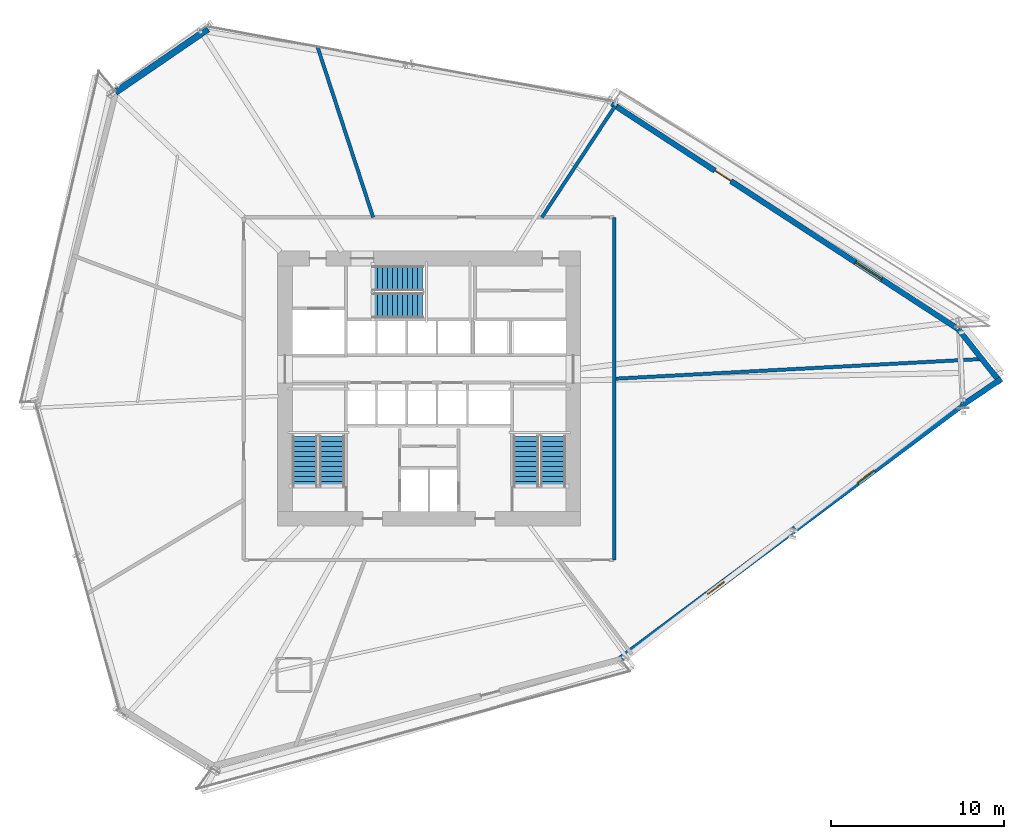
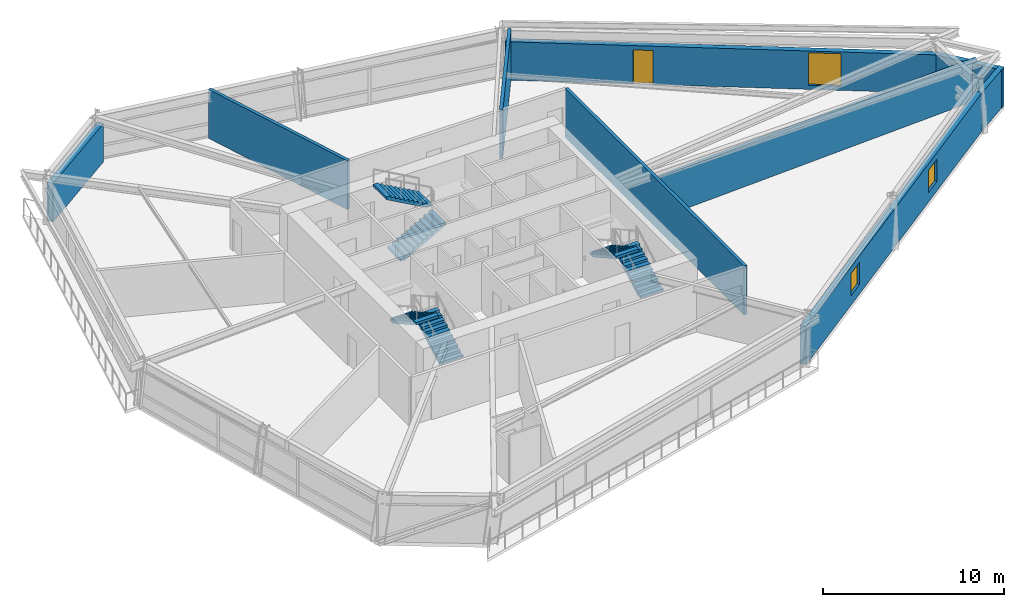
# One storey, part 17 of 20: 9 walls, 6 stair flights, 3 windows, 1 door, 4 openings, 3 elements without a shape of their own.
"""IFC4 building model written with IfcOpenShell, lengths in metres."""

from ifc_helpers import new_model, si_unit, direction, frame, frame_2d, origin, place, context, subcontext, project, spatial, polyline, rectangle, outline, extrude, source, transform, mapped, material, layer, layer_set, type_object, type_shapes, element, fill, aggregate, save


model = new_model("IFC4")

# Units and contexts
model_context = context("Model", 3, precision=1e-05, world=origin(), true_north=direction((0.0, 1.0)))
body_context = subcontext(model_context, "Body", "Model", "MODEL_VIEW")
ifc_project = project(units=[si_unit("LENGTHUNIT", "METRE"), si_unit("AREAUNIT", "SQUARE_METRE"), si_unit("VOLUMEUNIT", "CUBIC_METRE"), si_unit("PLANEANGLEUNIT", "RADIAN"), si_unit("MASSUNIT", "GRAM", prefix="KILO")], contexts=[model_context])

# Site, building, storey
site_placement = place(None, origin())
site = spatial("IfcSite", under=ifc_project, at=site_placement, CompositionType="ELEMENT")
building_placement = place(site_placement, origin())
building = spatial("IfcBuilding", under=site, at=building_placement, Name="Olszyna Solenne Hotel", CompositionType="ELEMENT")
storey_placement = place(building_placement, frame((0.0, 0.0, 43.5)))
storey = spatial("IfcBuildingStorey", under=building, at=storey_placement, Name="L10", CompositionType="ELEMENT", Elevation=43.5)

# Wall, openings, door, window
ifc_material_1 = material(Name="Precast concrete C45/55", Category="concrete")
ifc_layer_1 = layer(ifc_material_1, 0.320068359375, Name="Precast concrete C45/55")
ifc_layer_set_1 = layer_set([ifc_layer_1], Name="Precast concrete C45/55")
wall_type_1 = type_object("IfcWallType", Name="WL-EX320", PredefinedType="SOLIDWALL", material=ifc_layer_set_1)
wall_1_placement = place(storey_placement, frame((48.56494140625, 43.0771484375, 0.0), z_axis=(0.0, 0.0, 1.0), x_axis=(0.838026180403, -0.545630022048, 0.0)))
wall_1 = element("IfcWall", 1, at=wall_1_placement, inside=storey, type_object=wall_type_1, Name="Exterior terracotta-precast frame wall WL-EX320 EW-L10-07", PredefinedType="SOLIDWALL", context=body_context, shape_type="SweptSolid", body=[
    extrude(rectangle(XDim=23.9326171875, YDim=0.320068359375, at=frame_2d((11.96630859375, 0.0))), origin(), (0.0, 0.0, 1.0), 2.592041015625),
])
opening_1_placement = place(wall_1_placement, frame((7.10791015625, 0.0, 0.0)))
opening_1 = element("IfcOpeningElement", 2, at=opening_1_placement, cuts=wall_1, Name="Opening LDG-L10-1", PredefinedType="OPENING", context=body_context, shape_type="SweptSolid", body=[
    extrude(rectangle(XDim=1.10009765625, YDim=2.300048828125, at=frame_2d((0.550048828125, 1.14990234375))), frame((0.0, 0.169921875, 0.0), z_axis=(0.0, -1.0, 0.0), x_axis=(1.0, 0.0, 0.0)), (0.0, 0.0, 1.0), 0.340087890625),
])
opening_2_placement = place(wall_1_placement, frame((16.81005859375, 0.0, 0.27197265625)))
opening_2 = element("IfcOpeningElement", 3, at=opening_2_placement, cuts=wall_1, Name="Opening WN-L10-043", PredefinedType="OPENING", context=body_context, shape_type="SweptSolid", body=[
    extrude(rectangle(XDim=1.800048828125, YDim=2.199951171875, at=frame_2d((0.89990234375, 1.10009765625))), frame((0.0, 0.169921875, 0.0), z_axis=(0.0, -1.0, 0.0), x_axis=(1.0, 0.0, 0.0)), (0.0, 0.0, 1.0), 0.340087890625),
])
ifc_material_2 = material(Name="Anodised bronze aluminium", Category="aluminium")
door_type = type_object("IfcDoorType", Name="DR-LG1", OperationType="NOTDEFINED", PredefinedType="DOOR", material=ifc_material_2)
shared_shape_1 = source(origin(), body_context, "Body", "SweptSolid", [
    extrude(rectangle(XDim=1.10009765625, YDim=2.300048828125, at=frame_2d((0.550048828125, 1.14990234375))), frame((0.0, 0.02490234375, 0.0), z_axis=(0.0, -1.0, 0.0), x_axis=(1.0, 0.0, 0.0)), (0.0, 0.0, 1.0), 0.050048828125),
])
type_shapes(door_type, [shared_shape_1])
door_placement = place(opening_1_placement, origin())
door = element("IfcDoor", 4, at=door_placement, inside=storey, type_object=door_type, Name="Exterior loggia balcony door DR-LG1 LDG-L10-1", OperationType="SINGLE_SWING_RIGHT", OverallHeight=2.300048828125, OverallWidth=1.10009765625, PredefinedType="DOOR", context=body_context, shape_type="MappedRepresentation", body=[
    mapped(shared_shape_1, transform((0.0, 0.0, 0.0), x_axis=(1.0, 0.0, 0.0), y_axis=(0.0, 1.0, 0.0), z_axis=(0.0, 0.0, 1.0), scale=1.0)),
])
fill(opening_1, door)
ifc_material_3 = material(Name="Low-E triple glazing", Category="glass")
window_type_1 = type_object("IfcWindowType", Name="WN-HT1", PartitioningType="SINGLE_PANEL", PredefinedType="WINDOW", material=ifc_material_3)
shared_shape_2 = source(origin(), body_context, "Body", "SweptSolid", [
    extrude(rectangle(XDim=1.800048828125, YDim=2.199951171875, at=frame_2d((0.89990234375, 1.10009765625))), frame((0.0, 0.030029296875, 0.0), z_axis=(0.0, -1.0, 0.0), x_axis=(1.0, 0.0, 0.0)), (0.0, 0.0, 1.0), 0.06005859375),
])
type_shapes(window_type_1, [shared_shape_2])
window_1_placement = place(opening_2_placement, origin())
window_1 = element("IfcWindow", 5, at=window_1_placement, inside=storey, type_object=window_type_1, Name="Loggia room window WN-HT1 WN-L10-043", OverallHeight=2.199951171875, OverallWidth=1.800048828125, PartitioningType="SINGLE_PANEL", PredefinedType="WINDOW", context=body_context, shape_type="MappedRepresentation", body=[
    mapped(shared_shape_2, transform((0.0, 0.0, 0.0), x_axis=(1.0, 0.0, 0.0), y_axis=(0.0, 1.0, 0.0), z_axis=(0.0, 0.0, 1.0), scale=1.0)),
])
fill(opening_2, window_1)

# Walls
wall_2_placement = place(storey_placement, frame((68.582763671875, 30.0537109375, 0.0), z_axis=(0.0, 0.0, 1.0), x_axis=(0.618904414078, -0.78546631133, 0.0)))
element("IfcWall", 6, at=wall_2_placement, inside=storey, type_object=wall_type_1, Name="Exterior terracotta-precast frame wall WL-EX320 EW-L10-08", PredefinedType="SOLIDWALL", context=body_context, shape_type="SweptSolid", body=[
    extrude(rectangle(XDim=3.970703125, YDim=0.320068359375, at=frame_2d((1.9853515625, 0.0))), origin(), (0.0, 0.0, 1.0), 2.592041015625),
])
wall_3_placement = place(storey_placement, frame((71.07666015625, 27.16650390625, 0.0), z_axis=(0.0, 0.0, 1.0), x_axis=(-0.829425264913, -0.558617695678, 0.0)))
element("IfcWall", 7, at=wall_3_placement, inside=storey, type_object=wall_type_1, Name="Exterior terracotta-precast frame wall WL-EX320 EW-L10-09", PredefinedType="SOLIDWALL", context=body_context, shape_type="SweptSolid", body=[
    extrude(rectangle(XDim=2.771240234375, YDim=0.320068359375, at=frame_2d((1.3857421875, 0.0))), origin(), (0.0, 0.0, 1.0), 2.592041015625),
])
ifc_material_4 = material(Name="Terracotta cladding on precast concrete C45/55", Category="masonry")
ifc_layer_2 = layer(ifc_material_4, 0.3798828125, Name="Terracotta cladding on precast concrete C45/55")
ifc_layer_set_2 = layer_set([ifc_layer_2], Name="Terracotta cladding on precast concrete C45/55")
wall_type_2 = type_object("IfcWallType", Name="WL-EX380", PredefinedType="SOLIDWALL", material=ifc_layer_set_2)
wall_4_placement = place(storey_placement, frame((19.882080078125, 43.728271484375, 0.0), z_axis=(0.0, 0.0, 1.0), x_axis=(0.825091616756, 0.564998959255, 0.0)))
element("IfcWall", 8, at=wall_4_placement, inside=storey, type_object=wall_type_2, Name="Exterior terracotta-precast frame wall WL-EX380 EW-L10-05", PredefinedType="SOLIDWALL", context=body_context, shape_type="SweptSolid", body=[
    extrude(rectangle(XDim=6.47216796875, YDim=0.3798828125, at=frame_2d((3.236083984375, 0.0))), origin(), (0.0, 0.0, 1.0), 2.592041015625),
])

# Wall, openings, windows
wall_5_placement = place(storey_placement, frame((68.75390625, 25.63818359375, 0.0), z_axis=(0.0, 0.0, 1.0), x_axis=(-0.801982102685, -0.59734806183, 0.0)))
wall_5 = element("IfcWall", 9, at=wall_5_placement, inside=storey, type_object=wall_type_2, Name="Exterior terracotta-precast frame wall WL-EX380 EW-L10-10", PredefinedType="SOLIDWALL", context=body_context, shape_type="SweptSolid", body=[
    extrude(rectangle(XDim=24.5556640625, YDim=0.3798828125, at=frame_2d((12.27783203125, 0.0))), origin(), (0.0, 0.0, 1.0), 2.592041015625),
])
opening_3_placement = place(wall_5_placement, frame((6.27587890625, 0.0, 0.64990234375)))
opening_3 = element("IfcOpeningElement", 10, at=opening_3_placement, cuts=wall_5, Name="Opening WN-L10-044", PredefinedType="OPENING", context=body_context, shape_type="SweptSolid", body=[
    extrude(rectangle(XDim=1.199951171875, YDim=1.5, at=frame_2d((0.60009765625, 0.75))), frame((0.0, 0.199951171875, 0.0), z_axis=(0.0, -1.0, 0.0), x_axis=(1.0, 0.0, 0.0)), (0.0, 0.0, 1.0), 0.39990234375),
])
opening_4_placement = place(wall_5_placement, frame((17.080078125, 0.0, 0.64990234375)))
opening_4 = element("IfcOpeningElement", 11, at=opening_4_placement, cuts=wall_5, Name="Opening WN-L10-045", PredefinedType="OPENING", context=body_context, shape_type="SweptSolid", body=[
    extrude(rectangle(XDim=1.199951171875, YDim=1.5, at=frame_2d((0.60009765625, 0.75))), frame((0.0, 0.199951171875, 0.0), z_axis=(0.0, -1.0, 0.0), x_axis=(1.0, 0.0, 0.0)), (0.0, 0.0, 1.0), 0.39990234375),
])
window_type_2 = type_object("IfcWindowType", Name="WN-B1", PartitioningType="SINGLE_PANEL", PredefinedType="WINDOW", material=ifc_material_3)
shared_shape_3 = source(origin(), body_context, "Body", "SweptSolid", [
    extrude(rectangle(XDim=1.199951171875, YDim=1.5, at=frame_2d((0.60009765625, 0.75))), frame((0.0, 0.030029296875, 0.0), z_axis=(0.0, -1.0, 0.0), x_axis=(1.0, 0.0, 0.0)), (0.0, 0.0, 1.0), 0.06005859375),
])
type_shapes(window_type_2, [shared_shape_3])
window_2_placement = place(opening_3_placement, origin())
window_2 = element("IfcWindow", 12, at=window_2_placement, inside=storey, type_object=window_type_2, Name="Exterior facade window WN-B1 WN-L10-044", OverallHeight=1.5, OverallWidth=1.199951171875, PartitioningType="SINGLE_PANEL", PredefinedType="WINDOW", context=body_context, shape_type="MappedRepresentation", body=[
    mapped(shared_shape_3, transform((0.0, 0.0, 0.0), x_axis=(1.0, 0.0, 0.0), y_axis=(0.0, 1.0, 0.0), z_axis=(0.0, 0.0, 1.0), scale=1.0)),
])
fill(opening_3, window_2)
window_3_placement = place(opening_4_placement, origin())
window_3 = element("IfcWindow", 13, at=window_3_placement, inside=storey, type_object=window_type_2, Name="Exterior facade window WN-B1 WN-L10-045", OverallHeight=1.5, OverallWidth=1.199951171875, PartitioningType="SINGLE_PANEL", PredefinedType="WINDOW", context=body_context, shape_type="MappedRepresentation", body=[
    mapped(shared_shape_3, transform((0.0, 0.0, 0.0), x_axis=(1.0, 0.0, 0.0), y_axis=(0.0, 1.0, 0.0), z_axis=(0.0, 0.0, 1.0), scale=1.0)),
])
fill(opening_4, window_3)

# Walls
ifc_material_5 = material(Name="Acoustic gypsum partition", Category="gypsum")
ifc_layer_3 = layer(ifc_material_5, 0.199951171875, Name="Acoustic gypsum partition")
ifc_layer_set_3 = layer_set([ifc_layer_3], Name="Acoustic gypsum partition")
wall_type_3 = type_object("IfcWallType", Name="WL-PT200", PredefinedType="PARTITIONING", material=ifc_layer_set_3)
wall_6_placement = place(storey_placement, frame((48.699951171875, 27.174072265625, 0.0), z_axis=(0.0, 0.0, 1.0), x_axis=(0.998563490956, 0.053581288992, 0.0)))
element("IfcWall", 14, at=wall_6_placement, inside=storey, type_object=wall_type_3, Name="Interior acoustic partition WL-PT200 PW-L10-0551", PredefinedType="PARTITIONING", context=body_context, shape_type="SweptSolid", body=[
    extrude(rectangle(XDim=21.442626953125, YDim=0.199951171875, at=frame_2d((10.72119140625, 0.0))), origin(), (0.0, 0.0, 1.0), 2.794921875),
])
wall_7_placement = place(storey_placement, frame((44.51708984375, 36.5, 0.0), z_axis=(0.0, 0.0, 1.0), x_axis=(0.549868353799, 0.835251335521, 0.0)))
element("IfcWall", 15, at=wall_7_placement, inside=storey, type_object=wall_type_3, Name="Interior acoustic partition WL-PT200 PW-L10-0552", PredefinedType="PARTITIONING", context=body_context, shape_type="SweptSolid", body=[
    extrude(rectangle(XDim=7.850830078125, YDim=0.199951171875, at=frame_2d((3.92529296875, 0.0))), origin(), (0.0, 0.0, 1.0), 3.300048828125),
])
wall_8_placement = place(storey_placement, frame((34.76953125, 36.5, 0.0), z_axis=(0.0, 0.0, 1.0), x_axis=(-0.310204417854, 0.950669879161, 0.0)))
element("IfcWall", 16, at=wall_8_placement, inside=storey, type_object=wall_type_3, Name="Interior acoustic partition WL-PT200 PW-L10-0553", PredefinedType="PARTITIONING", context=body_context, shape_type="SweptSolid", body=[
    extrude(rectangle(XDim=10.33447265625, YDim=0.199951171875, at=frame_2d((5.167236328125, 0.0))), origin(), (0.0, 0.0, 1.0), 3.300048828125),
])
wall_9_placement = place(storey_placement, frame((48.699951171875, 16.699951171875, 0.0), z_axis=(0.0, 0.0, 1.0), x_axis=(0.0, 1.0, 0.0)))
element("IfcWall", 17, at=wall_9_placement, inside=storey, type_object=wall_type_3, Name="Interior acoustic partition WL-PT200 PW-L10-0563", PredefinedType="PARTITIONING", context=body_context, shape_type="SweptSolid", body=[
    extrude(rectangle(XDim=19.800048828125, YDim=0.199951171875, at=frame_2d((9.89990234375, 0.0))), origin(), (0.0, 0.0, 1.0), 3.300048828125),
])

# Stair, stair flights
ifc_material_6 = material(Name="Concrete C40/50", Category="concrete")
stair_type = type_object("IfcStairType", Name="STR-C1", PredefinedType="TWO_QUARTER_WINDING_STAIR", material=ifc_material_6)
stair_1_placement = place(storey_placement, origin())
stair_1 = element("IfcStair", 18, at=stair_1_placement, inside=storey, type_object=stair_type, Name="L10 ST1", PredefinedType="TWO_QUARTER_WINDING_STAIR")
stair_flight_type = type_object("IfcStairFlightType", Name="FLT-C1", PredefinedType="STRAIGHT", material=ifc_material_6)
stair_flight_1_placement = place(storey_placement, frame((32.39501953125, 20.949951171875, 0.0), z_axis=(0.0, 0.0, 1.0), x_axis=(0.0, 1.0, 0.0)))
stair_flight_1 = element("IfcStairFlight", 19, at=stair_flight_1_placement, type_object=stair_flight_type, Name="ST1 flight 1", NumberOfRisers=11, NumberOfTreads=10, PredefinedType="STRAIGHT", RiserHeight=0.161363636, TreadLength=0.29, context=body_context, shape_type="SweptSolid", body=[
    extrude(outline(polyline([(0.0, 0.0), (0.0, 0.161376953125), (0.2900390625, 0.161376953125), (0.2900390625, 0.32275390625), (0.580078125, 0.32275390625), (0.580078125, 0.484130859375), (0.8701171875, 0.484130859375), (0.8701171875, 0.6455078125), (1.159912109375, 0.6455078125), (1.159912109375, 0.806884765625), (1.449951171875, 0.806884765625), (1.449951171875, 0.96826171875), (1.739990234375, 0.96826171875), (1.739990234375, 1.129638671875), (2.030029296875, 1.129638671875), (2.030029296875, 1.291015625), (2.320068359375, 1.291015625), (2.320068359375, 1.452392578125), (2.610107421875, 1.452392578125), (2.610107421875, 1.613525390625), (2.89990234375, 1.613525390625), (2.89990234375, 1.77490234375), (2.89990234375, 1.442138671875), (0.308349609375, 0.0), (0.0, 0.0)])), frame((0.0, 0.72509765625, 0.0), z_axis=(0.0, -1.0, 0.0), x_axis=(1.0, 0.0, 0.0)), (0.0, 0.0, 1.0), 1.449951171875),
])
stair_flight_2_placement = place(storey_placement, frame((30.824951171875, 23.85009765625, 1.77490234375), z_axis=(0.0, 0.0, 1.0), x_axis=(0.0, -1.0, 0.0)))
stair_flight_2 = element("IfcStairFlight", 20, at=stair_flight_2_placement, type_object=stair_flight_type, Name="ST1 flight 2", NumberOfRisers=11, NumberOfTreads=10, PredefinedType="STRAIGHT", RiserHeight=0.161363636, TreadLength=0.29, context=body_context, shape_type="SweptSolid", body=[
    extrude(outline(polyline([(0.0, 0.0), (0.0, 0.161376953125), (0.2900390625, 0.161376953125), (0.2900390625, 0.32275390625), (0.580078125, 0.32275390625), (0.580078125, 0.484130859375), (0.8701171875, 0.484130859375), (0.8701171875, 0.6455078125), (1.159912109375, 0.6455078125), (1.159912109375, 0.806884765625), (1.449951171875, 0.806884765625), (1.449951171875, 0.96826171875), (1.739990234375, 0.96826171875), (1.739990234375, 1.129638671875), (2.030029296875, 1.129638671875), (2.030029296875, 1.291015625), (2.320068359375, 1.291015625), (2.320068359375, 1.452392578125), (2.610107421875, 1.452392578125), (2.610107421875, 1.613525390625), (2.89990234375, 1.613525390625), (2.89990234375, 1.77490234375), (2.89990234375, 1.442138671875), (0.308349609375, 0.0), (0.0, 0.0)])), frame((0.0, 0.72509765625, 0.0), z_axis=(0.0, -1.0, 0.0), x_axis=(1.0, 0.0, 0.0)), (0.0, 0.0, 1.0), 1.449951171875),
])
aggregate(stair_1, [stair_flight_1, stair_flight_2])

stair_2_placement = place(storey_placement, origin())
stair_2 = element("IfcStair", 21, at=stair_2_placement, inside=storey, type_object=stair_type, Name="L10 ST2", PredefinedType="TWO_QUARTER_WINDING_STAIR")
stair_flight_3_placement = place(storey_placement, frame((45.175048828125, 20.949951171875, 0.0), z_axis=(0.0, 0.0, 1.0), x_axis=(0.0, 1.0, 0.0)))
stair_flight_3 = element("IfcStairFlight", 22, at=stair_flight_3_placement, type_object=stair_flight_type, Name="ST2 flight 1", NumberOfRisers=11, NumberOfTreads=10, PredefinedType="STRAIGHT", RiserHeight=0.161363636, TreadLength=0.29, context=body_context, shape_type="SweptSolid", body=[
    extrude(outline(polyline([(0.0, 0.0), (0.0, 0.161376953125), (0.2900390625, 0.161376953125), (0.2900390625, 0.32275390625), (0.580078125, 0.32275390625), (0.580078125, 0.484130859375), (0.8701171875, 0.484130859375), (0.8701171875, 0.6455078125), (1.159912109375, 0.6455078125), (1.159912109375, 0.806884765625), (1.449951171875, 0.806884765625), (1.449951171875, 0.96826171875), (1.739990234375, 0.96826171875), (1.739990234375, 1.129638671875), (2.030029296875, 1.129638671875), (2.030029296875, 1.291015625), (2.320068359375, 1.291015625), (2.320068359375, 1.452392578125), (2.610107421875, 1.452392578125), (2.610107421875, 1.613525390625), (2.89990234375, 1.613525390625), (2.89990234375, 1.77490234375), (2.89990234375, 1.442138671875), (0.308349609375, 0.0), (0.0, 0.0)])), frame((0.0, 0.72509765625, 0.0), z_axis=(0.0, -1.0, 0.0), x_axis=(1.0, 0.0, 0.0)), (0.0, 0.0, 1.0), 1.449951171875),
])
stair_flight_4_placement = place(storey_placement, frame((43.60498046875, 23.85009765625, 1.77490234375), z_axis=(0.0, 0.0, 1.0), x_axis=(0.0, -1.0, 0.0)))
stair_flight_4 = element("IfcStairFlight", 23, at=stair_flight_4_placement, type_object=stair_flight_type, Name="ST2 flight 2", NumberOfRisers=11, NumberOfTreads=10, PredefinedType="STRAIGHT", RiserHeight=0.161363636, TreadLength=0.29, context=body_context, shape_type="SweptSolid", body=[
    extrude(outline(polyline([(0.0, 0.0), (0.0, 0.161376953125), (0.2900390625, 0.161376953125), (0.2900390625, 0.32275390625), (0.580078125, 0.32275390625), (0.580078125, 0.484130859375), (0.8701171875, 0.484130859375), (0.8701171875, 0.6455078125), (1.159912109375, 0.6455078125), (1.159912109375, 0.806884765625), (1.449951171875, 0.806884765625), (1.449951171875, 0.96826171875), (1.739990234375, 0.96826171875), (1.739990234375, 1.129638671875), (2.030029296875, 1.129638671875), (2.030029296875, 1.291015625), (2.320068359375, 1.291015625), (2.320068359375, 1.452392578125), (2.610107421875, 1.452392578125), (2.610107421875, 1.613525390625), (2.89990234375, 1.613525390625), (2.89990234375, 1.77490234375), (2.89990234375, 1.442138671875), (0.308349609375, 0.0), (0.0, 0.0)])), frame((0.0, 0.72509765625, 0.0), z_axis=(0.0, -1.0, 0.0), x_axis=(1.0, 0.0, 0.0)), (0.0, 0.0, 1.0), 1.449951171875),
])
aggregate(stair_2, [stair_flight_3, stair_flight_4])

stair_3_placement = place(storey_placement, origin())
stair_3 = element("IfcStair", 24, at=stair_3_placement, inside=storey, type_object=stair_type, Name="L10 ST3", PredefinedType="TWO_QUARTER_WINDING_STAIR")
stair_flight_5_placement = place(storey_placement, frame((34.72998046875, 31.405029296875, 0.0), z_axis=(0.0, 0.0, 1.0), x_axis=(1.0, 0.0, 0.0)))
stair_flight_5 = element("IfcStairFlight", 25, at=stair_flight_5_placement, type_object=stair_flight_type, Name="ST3 flight 1", NumberOfRisers=11, NumberOfTreads=10, PredefinedType="STRAIGHT", RiserHeight=0.161363636, TreadLength=0.29, context=body_context, shape_type="SweptSolid", body=[
    extrude(outline(polyline([(0.0, 0.0), (0.0, 0.161376953125), (0.2900390625, 0.161376953125), (0.2900390625, 0.32275390625), (0.580078125, 0.32275390625), (0.580078125, 0.484130859375), (0.8701171875, 0.484130859375), (0.8701171875, 0.6455078125), (1.159912109375, 0.6455078125), (1.159912109375, 0.806884765625), (1.449951171875, 0.806884765625), (1.449951171875, 0.96826171875), (1.739990234375, 0.96826171875), (1.739990234375, 1.129638671875), (2.030029296875, 1.129638671875), (2.030029296875, 1.291015625), (2.320068359375, 1.291015625), (2.320068359375, 1.452392578125), (2.610107421875, 1.452392578125), (2.610107421875, 1.613525390625), (2.89990234375, 1.613525390625), (2.89990234375, 1.77490234375), (2.89990234375, 1.442138671875), (0.308349609375, 0.0), (0.0, 0.0)])), frame((0.0, 0.72509765625, 0.0), z_axis=(0.0, -1.0, 0.0), x_axis=(1.0, 0.0, 0.0)), (0.0, 0.0, 1.0), 1.449951171875),
])
stair_flight_6_placement = place(storey_placement, frame((37.6298828125, 32.97509765625, 1.77490234375), z_axis=(0.0, 0.0, 1.0), x_axis=(-1.0, 0.0, 0.0)))
stair_flight_6 = element("IfcStairFlight", 26, at=stair_flight_6_placement, type_object=stair_flight_type, Name="ST3 flight 2", NumberOfRisers=11, NumberOfTreads=10, PredefinedType="STRAIGHT", RiserHeight=0.161363636, TreadLength=0.29, context=body_context, shape_type="SweptSolid", body=[
    extrude(outline(polyline([(0.0, 0.0), (0.0, 0.161376953125), (0.2900390625, 0.161376953125), (0.2900390625, 0.32275390625), (0.580078125, 0.32275390625), (0.580078125, 0.484130859375), (0.8701171875, 0.484130859375), (0.8701171875, 0.6455078125), (1.159912109375, 0.6455078125), (1.159912109375, 0.806884765625), (1.449951171875, 0.806884765625), (1.449951171875, 0.96826171875), (1.739990234375, 0.96826171875), (1.739990234375, 1.129638671875), (2.030029296875, 1.129638671875), (2.030029296875, 1.291015625), (2.320068359375, 1.291015625), (2.320068359375, 1.452392578125), (2.610107421875, 1.452392578125), (2.610107421875, 1.613525390625), (2.89990234375, 1.613525390625), (2.89990234375, 1.77490234375), (2.89990234375, 1.442138671875), (0.308349609375, 0.0), (0.0, 0.0)])), frame((0.0, 0.72509765625, 0.0), z_axis=(0.0, -1.0, 0.0), x_axis=(1.0, 0.0, 0.0)), (0.0, 0.0, 1.0), 1.449951171875),
])
aggregate(stair_3, [stair_flight_5, stair_flight_6])

save(model, "model.ifc")
